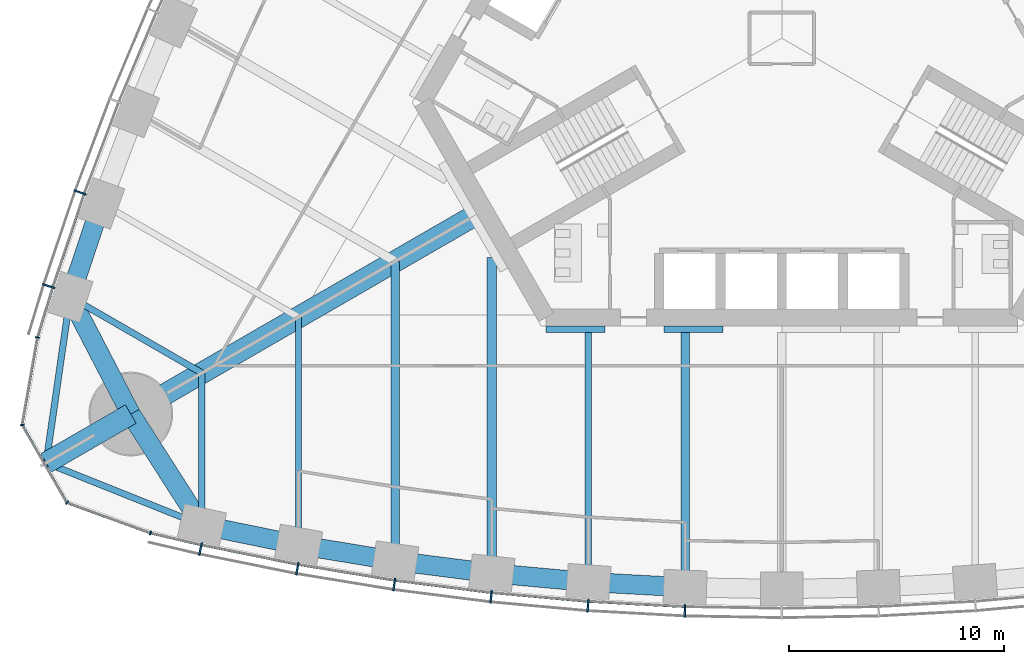
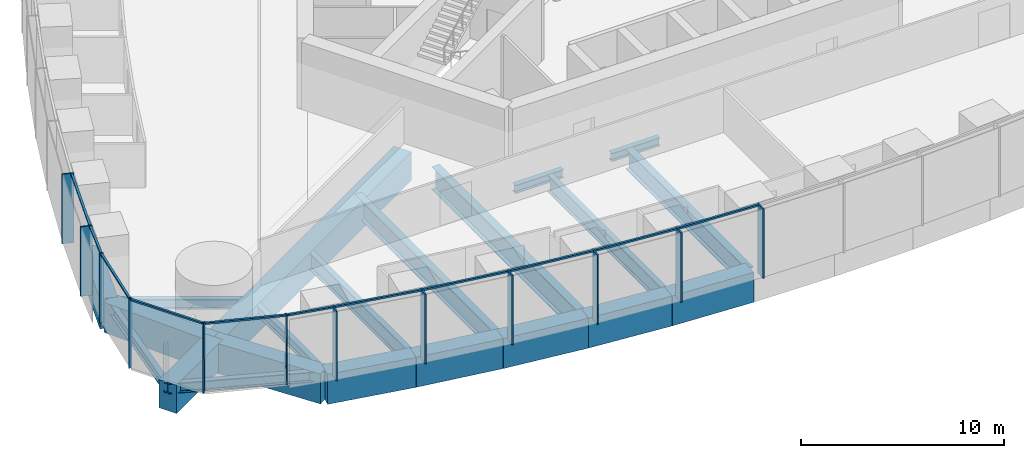
# One storey, part 2 of 18: 23 members, 21 beams, 3 elements without a shape of their own.
"""IFC4 building model written with IfcOpenShell, lengths in metres."""

from ifc_helpers import new_model, si_unit, direction, frame, origin, origin_2d, place, context, subcontext, project, spatial, rectangle, i_section, extrude, material, material_profile, profile_set, type_object, element, aggregate, save


model = new_model("IFC4")

# Units and contexts
model_context = context("Model", 3, precision=1e-05, world=origin(), true_north=direction((0.0, 1.0)))
body_context = subcontext(model_context, "Body", "Model", "MODEL_VIEW")
ifc_project = project(units=[si_unit("LENGTHUNIT", "METRE"), si_unit("AREAUNIT", "SQUARE_METRE"), si_unit("VOLUMEUNIT", "CUBIC_METRE"), si_unit("PLANEANGLEUNIT", "RADIAN"), si_unit("MASSUNIT", "GRAM", prefix="KILO")], contexts=[model_context])

# Site, building, storey
site_placement = place(None, origin())
site = spatial("IfcSite", under=ifc_project, at=site_placement, CompositionType="ELEMENT")
building_placement = place(site_placement, origin())
building = spatial("IfcBuilding", under=site, at=building_placement, Name="Trefoil Bronze Tower", CompositionType="ELEMENT")
storey_placement = place(building_placement, frame((0.0, 0.0, 161.89990234375)))
storey = spatial("IfcBuildingStorey", under=building, at=storey_placement, Name="L37", CompositionType="ELEMENT", Elevation=161.89990234375)

# Curtain wall, members
ifc_material_1 = material(Name="Tinted solar-control glass", Category="glass")
curtain_wall_type_1 = type_object("IfcCurtainWallType", Name="Bronze office curtain wall", PredefinedType="USERDEFINED", material=ifc_material_1)
curtain_wall_1_placement = place(storey_placement, origin())
curtain_wall_1 = element("IfcCurtainWall", 1, at=curtain_wall_1_placement, inside=storey, type_object=curtain_wall_type_1, Name="CW-A L37 F1", ObjectType="CURTAIN WALL", PredefinedType="USERDEFINED")
ifc_material_2 = material(Name="Bronze-finish aluminium", Category="aluminium")
ifc_material_profile_1 = material_profile(ifc_material_2, rectangle(XDim=0.60009765625, YDim=0.080078125, at=origin_2d()), Name="CW-A mullion")
ifc_profile_set_1 = profile_set([ifc_material_profile_1], Name="Bronze-finish aluminium")
member_type_1 = type_object("IfcMemberType", Name="Bronze office curtain wall mullion", PredefinedType="MULLION", material=ifc_profile_set_1)
member_1_placement = place(storey_placement, frame((-27.0634765625, -23.7890625, 0.0), z_axis=(0.0, 0.0, 1.0), x_axis=(0.21197042503, 0.977276081214, 0.0)))
member_1 = element("IfcMember", 2, at=member_1_placement, type_object=member_type_1, Name="CW-A L37 F1 mullion 2", PredefinedType="MULLION", context=body_context, shape_type="SweptSolid", body=[
    extrude(rectangle(XDim=0.60009765625, YDim=0.080078125, at=origin_2d()), origin(), (0.0, 0.0, 1.0), 4.18017578125),
])
member_2_placement = place(storey_placement, frame((-22.553955078125, -24.700927734375, 0.0), z_axis=(0.0, 0.0, 1.0), x_axis=(0.180240853954, 0.98362250613, 0.0)))
member_2 = element("IfcMember", 3, at=member_2_placement, type_object=member_type_1, Name="CW-A L37 F1 mullion 3", PredefinedType="MULLION", context=body_context, shape_type="SweptSolid", body=[
    extrude(rectangle(XDim=0.60009765625, YDim=0.080078125, at=origin_2d()), origin(), (0.0, 0.0, 1.0), 4.18017578125),
])
member_3_placement = place(storey_placement, frame((-18.043212890625, -25.4423828125, 0.0), z_axis=(0.0, 0.0, 1.0), x_axis=(0.144192103798, 0.989549714366, 0.0)))
member_3 = element("IfcMember", 4, at=member_3_placement, type_object=member_type_1, Name="CW-A L37 F1 mullion 4", PredefinedType="MULLION", context=body_context, shape_type="SweptSolid", body=[
    extrude(rectangle(XDim=0.60009765625, YDim=0.080078125, at=origin_2d()), origin(), (0.0, 0.0, 1.0), 4.18017578125),
])
member_4_placement = place(storey_placement, frame((-13.532470703125, -26.01611328125, 0.0), z_axis=(0.0, 0.0, 1.0), x_axis=(0.108143747013, 0.994135267447, 0.0)))
member_4 = element("IfcMember", 5, at=member_4_placement, type_object=member_type_1, Name="CW-A L37 F1 mullion 5", PredefinedType="MULLION", context=body_context, shape_type="SweptSolid", body=[
    extrude(rectangle(XDim=0.60009765625, YDim=0.080078125, at=origin_2d()), origin(), (0.0, 0.0, 1.0), 4.18017578125),
])
member_5_placement = place(storey_placement, frame((-9.021728515625, -26.424072265625, 0.0), z_axis=(0.0, 0.0, 1.0), x_axis=(0.072095676284, 0.997397720802, 0.0)))
member_5 = element("IfcMember", 6, at=member_5_placement, type_object=member_type_1, Name="CW-A L37 F1 mullion 6", PredefinedType="MULLION", context=body_context, shape_type="SweptSolid", body=[
    extrude(rectangle(XDim=0.60009765625, YDim=0.080078125, at=origin_2d()), origin(), (0.0, 0.0, 1.0), 4.18017578125),
])
member_6_placement = place(storey_placement, frame((-4.5107421875, -26.66845703125, 0.0), z_axis=(0.0, 0.0, 1.0), x_axis=(0.036047792107, 0.999350067136, 0.0)))
member_6 = element("IfcMember", 7, at=member_6_placement, type_object=member_type_1, Name="CW-A L37 F1 mullion 7", PredefinedType="MULLION", context=body_context, shape_type="SweptSolid", body=[
    extrude(rectangle(XDim=0.60009765625, YDim=0.080078125, at=origin_2d()), origin(), (0.0, 0.0, 1.0), 4.18017578125),
])

curtain_wall_2_placement = place(storey_placement, origin())
curtain_wall_2 = element("IfcCurtainWall", 8, at=curtain_wall_2_placement, inside=storey, type_object=curtain_wall_type_1, Name="CW-A L37 F3", ObjectType="CURTAIN WALL", PredefinedType="USERDEFINED")
member_7_placement = place(storey_placement, frame((-32.668701171875, -7.181884765625, 0.0), z_axis=(0.0, 0.0, 1.0), x_axis=(0.94196250502, -0.335718094742, 0.0)))
member_7 = element("IfcMember", 9, at=member_7_placement, type_object=member_type_1, Name="CW-A L37 F3 mullion 13", PredefinedType="MULLION", context=body_context, shape_type="SweptSolid", body=[
    extrude(rectangle(XDim=0.60009765625, YDim=0.080078125, at=origin_2d()), origin(), (0.0, 0.0, 1.0), 4.18017578125),
])
member_8_placement = place(storey_placement, frame((-34.1337890625, -11.543212890625, 0.0), z_axis=(0.0, 0.0, 1.0), x_axis=(0.952331125357, -0.30506626768, 0.0)))
member_8 = element("IfcMember", 10, at=member_8_placement, type_object=member_type_1, Name="CW-A L37 F3 mullion 14", PredefinedType="MULLION", context=body_context, shape_type="SweptSolid", body=[
    extrude(rectangle(XDim=0.60009765625, YDim=0.080078125, at=origin_2d()), origin(), (0.0, 0.0, 1.0), 4.18017578125),
])

# Member
ifc_material_3 = material(Name="Bronze-finish aluminium", Category="aluminium")
ifc_material_profile_2 = material_profile(ifc_material_3, rectangle(XDim=0.1201171875, YDim=0.10009765625, at=origin_2d()), Name="CW-A transom")
ifc_profile_set_2 = profile_set([ifc_material_profile_2], Name="Bronze-finish aluminium")
member_type_2 = type_object("IfcMemberType", Name="Bronze office curtain wall transom", PredefinedType="USERDEFINED", material=ifc_profile_set_2)
member_9_placement = place(storey_placement, frame((-29.34130859375, -23.05615234375, 4.130126953125), z_axis=(0.974206243495, -0.225659467196, 0.0), x_axis=(0.225659467196, 0.974206243495, 0.0)))
member_9 = element("IfcMember", 11, at=member_9_placement, type_object=member_type_2, Name="CW-A L37 F1 transom 1", ObjectType="TRANSOM", PredefinedType="USERDEFINED", context=body_context, shape_type="SweptSolid", body=[
    extrude(rectangle(XDim=0.1201171875, YDim=0.10009765625, at=origin_2d()), origin(), (0.0, 0.0, 1.0), 2.340087890625),
])

member_10_placement = place(storey_placement, frame((-26.980712890625, -23.601806640625, 4.130126953125), z_axis=(0.980153749225, -0.198238815273, 0.0), x_axis=(0.198238815273, 0.980153749225, 0.0)))
member_10 = element("IfcMember", 12, at=member_10_placement, type_object=member_type_2, Name="CW-A L37 F1 transom 2", ObjectType="TRANSOM", PredefinedType="USERDEFINED", context=body_context, shape_type="SweptSolid", body=[
    extrude(rectangle(XDim=0.1201171875, YDim=0.10009765625, at=origin_2d()), origin(), (0.0, 0.0, 1.0), 4.51123046875),
])

member_11_placement = place(storey_placement, frame((-22.476806640625, -24.510986328125, 4.130126953125), z_axis=(0.986755265284, -0.162216048636, 0.0), x_axis=(0.162216048636, 0.986755265284, 0.0)))
member_11 = element("IfcMember", 13, at=member_11_placement, type_object=member_type_2, Name="CW-A L37 F1 transom 3", ObjectType="TRANSOM", PredefinedType="USERDEFINED", context=body_context, shape_type="SweptSolid", body=[
    extrude(rectangle(XDim=0.1201171875, YDim=0.10009765625, at=origin_2d()), origin(), (0.0, 0.0, 1.0), 4.48046875),
])

member_12_placement = place(storey_placement, frame((-17.972900390625, -25.249755859375, 4.130126953125), z_axis=(0.992008387848, -0.12617193998, 0.0), x_axis=(0.12617193998, 0.992008387848, 0.0)))
member_12 = element("IfcMember", 14, at=member_12_placement, type_object=member_type_2, Name="CW-A L37 F1 transom 4", ObjectType="TRANSOM", PredefinedType="USERDEFINED", context=body_context, shape_type="SweptSolid", body=[
    extrude(rectangle(XDim=0.1201171875, YDim=0.10009765625, at=origin_2d()), origin(), (0.0, 0.0, 1.0), 4.456298828125),
])

member_13_placement = place(storey_placement, frame((-13.46923828125, -25.821044921875, 4.130126953125), z_axis=(0.995932787062, -0.090099298863, 0.0), x_axis=(0.090099298863, 0.995932787062, 0.0)))
member_13 = element("IfcMember", 15, at=member_13_placement, type_object=member_type_2, Name="CW-A L37 F1 transom 5", ObjectType="TRANSOM", PredefinedType="USERDEFINED", context=body_context, shape_type="SweptSolid", body=[
    extrude(rectangle(XDim=0.1201171875, YDim=0.10009765625, at=origin_2d()), origin(), (0.0, 0.0, 1.0), 4.4384765625),
])

member_14_placement = place(storey_placement, frame((-8.965576171875, -26.22705078125, 4.130126953125), z_axis=(0.998538253569, -0.054049571306, 0.0), x_axis=(0.054049571306, 0.998538253569, 0.0)))
member_14 = element("IfcMember", 16, at=member_14_placement, type_object=member_type_2, Name="CW-A L37 F1 transom 6", ObjectType="TRANSOM", PredefinedType="USERDEFINED", context=body_context, shape_type="SweptSolid", body=[
    extrude(rectangle(XDim=0.1201171875, YDim=0.10009765625, at=origin_2d()), origin(), (0.0, 0.0, 1.0), 4.4267578125),
])

aggregate(curtain_wall_1, [member_1, member_2, member_3, member_4, member_5, member_6, member_9, member_10, member_11, member_12, member_13, member_14])

member_15_placement = place(storey_placement, frame((-32.49365234375, -7.28857421875, 4.130126953125), z_axis=(-0.318386323729, -0.947961048178, 0.0), x_axis=(0.947961048178, -0.318386323729, 0.0)))
member_15 = element("IfcMember", 17, at=member_15_placement, type_object=member_type_2, Name="CW-A L37 F3 transom 13", ObjectType="TRANSOM", PredefinedType="USERDEFINED", context=body_context, shape_type="SweptSolid", body=[
    extrude(rectangle(XDim=0.1201171875, YDim=0.10009765625, at=origin_2d()), origin(), (0.0, 0.0, 1.0), 4.51123046875),
])

member_16_placement = place(storey_placement, frame((-33.955322265625, -11.643798828125, 4.130126953125), z_axis=(-0.291680468798, -0.956515814883, 0.0), x_axis=(0.956515814883, -0.291680468798, 0.0)))
member_16 = element("IfcMember", 18, at=member_16_placement, type_object=member_type_2, Name="CW-A L37 F3 transom 14", ObjectType="TRANSOM", PredefinedType="USERDEFINED", context=body_context, shape_type="SweptSolid", body=[
    extrude(rectangle(XDim=0.1201171875, YDim=0.10009765625, at=origin_2d()), origin(), (0.0, 0.0, 1.0), 2.34033203125),
])

aggregate(curtain_wall_2, [member_7, member_8, member_15, member_16])

# Curtain wall, members
ifc_material_4 = material(Name="Tinted solar-control glass", Category="glass")
curtain_wall_type_2 = type_object("IfcCurtainWallType", Name="Bronze rounded corner curtain wall", PredefinedType="USERDEFINED", material=ifc_material_4)
curtain_wall_3_placement = place(storey_placement, origin())
curtain_wall_3 = element("IfcCurtainWall", 19, at=curtain_wall_3_placement, inside=storey, type_object=curtain_wall_type_2, Name="CW-B L37 K3", ObjectType="CURTAIN WALL", PredefinedType="USERDEFINED")
ifc_material_5 = material(Name="Bronze-finish aluminium", Category="aluminium")
ifc_material_profile_3 = material_profile(ifc_material_5, rectangle(XDim=0.199951171875, YDim=0.06005859375, at=origin_2d()), Name="CW-B mullion")
ifc_profile_set_3 = profile_set([ifc_material_profile_3], Name="Bronze-finish aluminium")
member_type_3 = type_object("IfcMemberType", Name="Bronze rounded corner curtain wall mullion", PredefinedType="MULLION", material=ifc_profile_set_3)
member_17_placement = place(storey_placement, frame((-34.65234375, -13.932373046875, 0.0), z_axis=(0.0, 0.0, 1.0), x_axis=(0.984807753012, -0.173648177667, 0.0)))
member_17 = element("IfcMember", 20, at=member_17_placement, type_object=member_type_3, Name="CW-B L37 K3 mullion 1", PredefinedType="MULLION", context=body_context, shape_type="SweptSolid", body=[
    extrude(rectangle(XDim=0.199951171875, YDim=0.06005859375, at=origin_2d()), origin(), (0.0, 0.0, 1.0), 4.18017578125),
])
member_18_placement = place(storey_placement, frame((-35.364990234375, -18.009033203125, 0.0), z_axis=(0.0, 0.0, 1.0), x_axis=(0.984807753012, 0.173648177667, 0.0)))
member_18 = element("IfcMember", 21, at=member_18_placement, type_object=member_type_3, Name="CW-B L37 K3 mullion 2", PredefinedType="MULLION", context=body_context, shape_type="SweptSolid", body=[
    extrude(rectangle(XDim=0.199951171875, YDim=0.06005859375, at=origin_2d()), origin(), (0.0, 0.0, 1.0), 4.18017578125),
])
member_19_placement = place(storey_placement, frame((-33.27880859375, -21.62255859375, 0.0), z_axis=(0.0, 0.0, 1.0), x_axis=(0.642787609687, 0.766044443119, 0.0)))
member_19 = element("IfcMember", 22, at=member_19_placement, type_object=member_type_3, Name="CW-B L37 K3 mullion 3", PredefinedType="MULLION", context=body_context, shape_type="SweptSolid", body=[
    extrude(rectangle(XDim=0.199951171875, YDim=0.06005859375, at=origin_2d()), origin(), (0.0, 0.0, 1.0), 4.18017578125),
])
member_20_placement = place(storey_placement, frame((-29.391845703125, -23.043701171875, 0.0), z_axis=(0.0, 0.0, 1.0), x_axis=(0.342020143326, 0.939692620786, 0.0)))
member_20 = element("IfcMember", 23, at=member_20_placement, type_object=member_type_3, Name="CW-B L37 K3 mullion 4", PredefinedType="MULLION", context=body_context, shape_type="SweptSolid", body=[
    extrude(rectangle(XDim=0.199951171875, YDim=0.06005859375, at=origin_2d()), origin(), (0.0, 0.0, 1.0), 4.18017578125),
])
ifc_material_6 = material(Name="Bronze-finish aluminium", Category="aluminium")
ifc_material_profile_4 = material_profile(ifc_material_6, rectangle(XDim=0.1201171875, YDim=0.10009765625, at=origin_2d()), Name="CW-B transom")
ifc_profile_set_4 = profile_set([ifc_material_profile_4], Name="Bronze-finish aluminium")
member_type_4 = type_object("IfcMemberType", Name="Bronze rounded corner curtain wall transom", PredefinedType="USERDEFINED", material=ifc_profile_set_4)
member_21_placement = place(storey_placement, frame((-34.657470703125, -13.9619140625, 4.130126953125), z_axis=(-0.173682016639, -0.984801785689, 0.0), x_axis=(0.984801785689, -0.173682016639, 0.0)))
member_21 = element("IfcMember", 24, at=member_21_placement, type_object=member_type_4, Name="CW-B L37 K3 transom 1", ObjectType="TRANSOM", PredefinedType="USERDEFINED", context=body_context, shape_type="SweptSolid", body=[
    extrude(rectangle(XDim=0.1201171875, YDim=0.10009765625, at=origin_2d()), origin(), (0.0, 0.0, 1.0), 4.044189453125),
])
member_22_placement = place(storey_placement, frame((-35.338134765625, -18.067626953125, 4.130126953125), z_axis=(0.500015078168, -0.866016698225, 0.0), x_axis=(0.866016698225, 0.500015078168, 0.0)))
member_22 = element("IfcMember", 25, at=member_22_placement, type_object=member_type_4, Name="CW-B L37 K3 transom 2", ObjectType="TRANSOM", PredefinedType="USERDEFINED", context=body_context, shape_type="SweptSolid", body=[
    extrude(rectangle(XDim=0.1201171875, YDim=0.10009765625, at=origin_2d()), origin(), (0.0, 0.0, 1.0), 4.04443359375),
])
member_23_placement = place(storey_placement, frame((-33.220458984375, -21.650146484375, 4.130126953125), z_axis=(0.939684096629, -0.342043562347, 0.0), x_axis=(0.342043562347, 0.939684096629, 0.0)))
member_23 = element("IfcMember", 26, at=member_23_placement, type_object=member_type_4, Name="CW-B L37 K3 transom 3", ObjectType="TRANSOM", PredefinedType="USERDEFINED", context=body_context, shape_type="SweptSolid", body=[
    extrude(rectangle(XDim=0.1201171875, YDim=0.10009765625, at=origin_2d()), origin(), (0.0, 0.0, 1.0), 4.044189453125),
])
aggregate(curtain_wall_3, [member_17, member_18, member_19, member_20, member_21, member_22, member_23])

# Beams
ifc_material_7 = material(Name="Steel C355", Category="steel")
ifc_material_profile_5 = material_profile(ifc_material_7, i_section(OverallWidth=0.300048828125, OverallDepth=0.5, WebThickness=0.014404296875, FlangeThickness=0.028076171875, FilletRadius=0.027099609375, at=origin_2d()), Name="HEB 500")
ifc_profile_set_5 = profile_set([ifc_material_profile_5], Name="Steel C355")
beam_type_1 = type_object("IfcBeamType", Name="Core seat beam HEB 500", PredefinedType="BEAM", material=ifc_profile_set_5)
for number, where, z_axis, x_axis, name in (
    (27, (-10.9697265625, -13.550048828125, -0.449951171875), (1.0, 0.0, 0.0), (0.0, 1.0, 0.0), "Core seat beam F1/-2 L37"),
    (28, (-5.48486328125, -13.550048828125, -0.449951171875), (1.0, 0.0, 0.0), (0.0, 1.0, 0.0), "Core seat beam F1/-1 L37"),
):
    element("IfcBeam", number, at=place(storey_placement, frame(where, z_axis=z_axis, x_axis=x_axis)), inside=storey, type_object=beam_type_1, Name=name, PredefinedType="BEAM", context=body_context, shape_type="SweptSolid", body=[
        extrude(i_section(OverallWidth=0.300048828125, OverallDepth=0.5, WebThickness=0.014404296875, FlangeThickness=0.028076171875, FilletRadius=0.027099609375, at=origin_2d()), origin(), (0.0, 0.0, 1.0), 2.742431640625),
    ])
ifc_material_8 = material(Name="Concrete B80", Category="concrete")
ifc_material_profile_6 = material_profile(ifc_material_8, rectangle(XDim=1.0, YDim=1.699951171875, at=origin_2d()), Name="RC 1000x1700")
ifc_profile_set_6 = profile_set([ifc_material_profile_6], Name="Concrete B80")
beam_type_2 = type_object("IfcBeamType", Name="Corner cantilever RC 1000x1700", PredefinedType="BEAM", material=ifc_profile_set_6)
beam_1_placement = place(storey_placement, frame((-30.310791015625, -17.5, -1.0498046875), z_axis=(-0.866031878637, -0.499988785058, 0.0), x_axis=(0.499988785058, -0.866031878637, 0.0)))
element("IfcBeam", 29, at=beam_1_placement, inside=storey, type_object=beam_type_2, Name="Corner cantilever K3 L37", PredefinedType="BEAM", context=body_context, shape_type="SweptSolid", body=[
    extrude(rectangle(XDim=1.0, YDim=1.699951171875, at=origin_2d()), origin(), (0.0, 0.0, 1.0), 4.54931640625),
])
ifc_material_9 = material(Name="Steel C355", Category="steel")
ifc_material_profile_7 = material_profile(ifc_material_9, i_section(OverallWidth=0.300048828125, OverallDepth=0.60009765625, WebThickness=0.015380859375, FlangeThickness=0.030029296875, FilletRadius=0.027099609375, at=origin_2d()), Name="HEB 600")
ifc_profile_set_7 = profile_set([ifc_material_profile_7], Name="Steel C355")
beam_type_3 = type_object("IfcBeamType", Name="Corner edge beam HEB 600", PredefinedType="BEAM", material=ifc_profile_set_7)
for number, where, z_axis, x_axis, name in (
    (30, (-27.0, -22.67724609375, -0.5), (-0.928375332495, 0.371643972122, 0.0), (-0.371643972122, -0.928375332495, 0.0), "Corner edge beam F1B L37"),
    (31, (-33.13916015625, -12.044189453125, -0.5), (-0.142327214588, -0.989819662357, 0.0), (0.989819662357, -0.142327214588, 0.0), "Corner edge beam F3A L37"),
):
    element("IfcBeam", number, at=place(storey_placement, frame(where, z_axis=z_axis, x_axis=x_axis)), inside=storey, type_object=beam_type_3, Name=name, PredefinedType="BEAM", context=body_context, shape_type="SweptSolid", body=[
        extrude(i_section(OverallWidth=0.300048828125, OverallDepth=0.60009765625, WebThickness=0.015380859375, FlangeThickness=0.030029296875, FilletRadius=0.027099609375, at=origin_2d()), origin(), (0.0, 0.0, 1.0), 7.81005859375),
    ])
ifc_material_10 = material(Name="Concrete B80", Category="concrete")
ifc_material_profile_8 = material_profile(ifc_material_10, rectangle(XDim=1.0, YDim=1.699951171875, at=origin_2d()), Name="RC 1000x1700")
ifc_profile_set_8 = profile_set([ifc_material_profile_8], Name="Concrete B80")
beam_type_4 = type_object("IfcBeamType", Name="Corner girder RC 1000x1700", PredefinedType="BEAM", material=ifc_profile_set_8)
beam_2_placement = place(storey_placement, frame((-14.202880859375, -8.199951171875, -1.0498046875), z_axis=(-0.866022084834, -0.500005748546, 0.0), x_axis=(0.500005748546, -0.866022084834, 0.0)))
element("IfcBeam", 32, at=beam_2_placement, inside=storey, type_object=beam_type_4, Name="Corner girder K3 L37", PredefinedType="BEAM", context=body_context, shape_type="SweptSolid", body=[
    extrude(rectangle(XDim=1.0, YDim=1.699951171875, at=origin_2d()), origin(), (0.0, 0.0, 1.0), 18.599853515625),
])
ifc_material_11 = material(Name="Concrete B80", Category="concrete")
ifc_material_profile_9 = material_profile(ifc_material_11, rectangle(XDim=0.89990234375, YDim=1.800048828125, at=origin_2d()), Name="RC 900x1800")
ifc_profile_set_9 = profile_set([ifc_material_profile_9], Name="Concrete B80")
beam_type_5 = type_object("IfcBeamType", Name="End spandrel beam RC 900x1800", PredefinedType="SPANDREL", material=ifc_profile_set_9)
for number, where, z_axis, x_axis, name in (
    (33, (-30.310791015625, -17.5, -1.099853515625), (0.53874814953, -0.84246687257, 0.0), (0.84246687257, 0.53874814953, 0.0), "Spandrel F1.1 L37"),
    (34, (-33.13916015625, -12.044189453125, -1.099853515625), (0.460244107083, -0.887792409235, 0.0), (0.887792409235, 0.460244107083, 0.0), "Spandrel F3.14 L37"),
):
    element("IfcBeam", number, at=place(storey_placement, frame(where, z_axis=z_axis, x_axis=x_axis)), inside=storey, type_object=beam_type_5, Name=name, PredefinedType="SPANDREL", context=body_context, shape_type="SweptSolid", body=[
        extrude(rectangle(XDim=0.89990234375, YDim=1.800048828125, at=origin_2d()), origin(), (0.0, 0.0, 1.0), 6.145263671875),
    ])
ifc_material_12 = material(Name="Steel C355", Category="steel")
ifc_material_profile_10 = material_profile(ifc_material_12, i_section(OverallWidth=0.300048828125, OverallDepth=1.0, WebThickness=0.01904296875, FlangeThickness=0.035888671875, FilletRadius=0.030029296875, at=origin_2d()), Name="HEB 1000")
ifc_profile_set_10 = profile_set([ifc_material_profile_10], Name="Steel C355")
beam_type_6 = type_object("IfcBeamType", Name="Floor beam HEB 1000", PredefinedType="BEAM", material=ifc_profile_set_10)
beam_3_placement = place(storey_placement, frame((-22.5, -23.592529296875, -0.699951171875), z_axis=(0.0, 1.0, 0.0), x_axis=(-1.0, 0.0, 0.0)))
element("IfcBeam", 35, at=beam_3_placement, inside=storey, type_object=beam_type_6, Name="Floor beam F1/-5 L37", PredefinedType="BEAM", context=body_context, shape_type="SweptSolid", body=[
    extrude(i_section(OverallWidth=0.300048828125, OverallDepth=1.0, WebThickness=0.01904296875, FlangeThickness=0.035888671875, FilletRadius=0.030029296875, at=origin_2d()), origin(), (0.0, 0.0, 1.0), 10.60205078125),
])
ifc_material_13 = material(Name="Steel C355", Category="steel")
ifc_material_profile_11 = material_profile(ifc_material_13, i_section(OverallWidth=0.300048828125, OverallDepth=0.60009765625, WebThickness=0.015380859375, FlangeThickness=0.030029296875, FilletRadius=0.027099609375, at=origin_2d()), Name="HEB 600")
ifc_profile_set_11 = profile_set([ifc_material_profile_11], Name="Steel C355")
beam_type_7 = type_object("IfcBeamType", Name="Floor beam HEB 600", PredefinedType="BEAM", material=ifc_profile_set_11)
for number, where, z_axis, x_axis, name in (
    (36, (-27.0, -22.67724609375, -0.5), (0.0, 1.0, 0.0), (-1.0, 0.0, 0.0), "Floor beam F1/-6 L37"),
    (37, (-33.13916015625, -12.044189453125, -0.5), (0.866041060244, -0.499972881236, 0.0), (0.499972881236, 0.866041060244, 0.0), "Floor beam F3/+6 L37"),
):
    element("IfcBeam", number, at=place(storey_placement, frame(where, z_axis=z_axis, x_axis=x_axis)), inside=storey, type_object=beam_type_7, Name=name, PredefinedType="BEAM", context=body_context, shape_type="SweptSolid", body=[
        extrude(i_section(OverallWidth=0.300048828125, OverallDepth=0.60009765625, WebThickness=0.015380859375, FlangeThickness=0.030029296875, FilletRadius=0.027099609375, at=origin_2d()), origin(), (0.0, 0.0, 1.0), 7.0888671875),
    ])
ifc_material_14 = material(Name="Steel C355", Category="steel")
ifc_material_profile_12 = material_profile(ifc_material_14, i_section(OverallWidth=0.302001953125, OverallDepth=1.008056640625, WebThickness=0.02099609375, FlangeThickness=0.0400390625, FilletRadius=0.030029296875, at=origin_2d()), Name="HEM 1000")
ifc_profile_set_12 = profile_set([ifc_material_profile_12], Name="Steel C355")
beam_type_8 = type_object("IfcBeamType", Name="Floor beam HEM 1000", PredefinedType="BEAM", material=ifc_profile_set_12)
beam_4_placement = place(storey_placement, frame((-9.0, -25.32275390625, -0.703857421875), z_axis=(0.0, 1.0, 0.0), x_axis=(-1.0, 0.0, 0.0)))
element("IfcBeam", 38, at=beam_4_placement, inside=storey, type_object=beam_type_8, Name="Floor beam F1/-2 L37", PredefinedType="BEAM", context=body_context, shape_type="SweptSolid", body=[
    extrude(i_section(OverallWidth=0.302001953125, OverallDepth=1.008056640625, WebThickness=0.02099609375, FlangeThickness=0.0400390625, FilletRadius=0.030029296875, at=origin_2d()), origin(), (0.0, 0.0, 1.0), 11.622802734375),
])
ifc_material_15 = material(Name="Steel C355", Category="steel")
ifc_material_profile_13 = material_profile(ifc_material_15, i_section(OverallWidth=0.39990234375, OverallDepth=1.199951171875, WebThickness=0.02001953125, FlangeThickness=0.0400390625, FilletRadius=0.010009765625, at=origin_2d()), Name="WPG 1200")
ifc_profile_set_13 = profile_set([ifc_material_profile_13], Name="Steel C355")
beam_type_9 = type_object("IfcBeamType", Name="Floor beam WPG 1200", PredefinedType="BEAM", material=ifc_profile_set_13)
beam_5_placement = place(storey_placement, frame((-18.0, -24.337158203125, -0.7998046875), z_axis=(0.0, 1.0, 0.0), x_axis=(-1.0, 0.0, 0.0)))
element("IfcBeam", 39, at=beam_5_placement, inside=storey, type_object=beam_type_9, Name="Floor beam F1/-4 L37", PredefinedType="BEAM", context=body_context, shape_type="SweptSolid", body=[
    extrude(i_section(OverallWidth=0.39990234375, OverallDepth=1.199951171875, WebThickness=0.02001953125, FlangeThickness=0.0400390625, FilletRadius=0.010009765625, at=origin_2d()), origin(), (0.0, 0.0, 1.0), 13.94482421875),
])
beam_6_placement = place(storey_placement, frame((-4.5, -25.568115234375, -0.7998046875), z_axis=(0.0, 1.0, 0.0), x_axis=(-1.0, 0.0, 0.0)))
element("IfcBeam", 40, at=beam_6_placement, inside=storey, type_object=beam_type_9, Name="Floor beam F1/-1 L37", PredefinedType="BEAM", context=body_context, shape_type="SweptSolid", body=[
    extrude(i_section(OverallWidth=0.39990234375, OverallDepth=1.199951171875, WebThickness=0.02001953125, FlangeThickness=0.0400390625, FilletRadius=0.010009765625, at=origin_2d()), origin(), (0.0, 0.0, 1.0), 11.8681640625),
])
ifc_material_16 = material(Name="Steel C355", Category="steel")
ifc_material_profile_14 = material_profile(ifc_material_16, i_section(OverallWidth=0.449951171875, OverallDepth=1.39990234375, WebThickness=0.02294921875, FlangeThickness=0.044921875, FilletRadius=0.011962890625, at=origin_2d()), Name="WPG 1400")
ifc_profile_set_14 = profile_set([ifc_material_profile_14], Name="Steel C355")
beam_type_10 = type_object("IfcBeamType", Name="Floor beam WPG 1400", PredefinedType="BEAM", material=ifc_profile_set_14)
beam_7_placement = place(storey_placement, frame((-13.5, -24.9130859375, -0.89990234375), z_axis=(0.0, 1.0, 0.0), x_axis=(-1.0, 0.0, 0.0)))
element("IfcBeam", 41, at=beam_7_placement, inside=storey, type_object=beam_type_10, Name="Floor beam F1/-3 L37", PredefinedType="BEAM", context=body_context, shape_type="SweptSolid", body=[
    extrude(i_section(OverallWidth=0.449951171875, OverallDepth=1.39990234375, WebThickness=0.02294921875, FlangeThickness=0.044921875, FilletRadius=0.011962890625, at=origin_2d()), origin(), (0.0, 0.0, 1.0), 14.69580078125),
])
ifc_material_17 = material(Name="Concrete B80", Category="concrete")
ifc_material_profile_15 = material_profile(ifc_material_17, rectangle(XDim=0.89990234375, YDim=1.800048828125, at=origin_2d()), Name="RC 900x1800")
ifc_profile_set_15 = profile_set([ifc_material_profile_15], Name="Concrete B80")
beam_type_11 = type_object("IfcBeamType", Name="Spandrel beam RC 900x1800", PredefinedType="SPANDREL", material=ifc_profile_set_15)
beam_8_placement = place(storey_placement, frame((-27.0, -22.67724609375, -1.099853515625), z_axis=(0.979935430296, -0.199315208777, 0.0), x_axis=(0.199315208777, 0.979935430296, 0.0)))
element("IfcBeam", 42, at=beam_8_placement, inside=storey, type_object=beam_type_11, Name="Spandrel F1.2 L37", PredefinedType="SPANDREL", context=body_context, shape_type="SweptSolid", body=[
    extrude(rectangle(XDim=0.89990234375, YDim=1.800048828125, at=origin_2d()), origin(), (0.0, 0.0, 1.0), 4.592041015625),
])
beam_9_placement = place(storey_placement, frame((-22.5, -23.592529296875, -1.099853515625), z_axis=(0.986584214684, -0.163253138823, 0.0), x_axis=(0.163253138823, 0.986584214684, 0.0)))
element("IfcBeam", 43, at=beam_9_placement, inside=storey, type_object=beam_type_11, Name="Spandrel F1.3 L37", PredefinedType="SPANDREL", context=body_context, shape_type="SweptSolid", body=[
    extrude(rectangle(XDim=0.89990234375, YDim=1.800048828125, at=origin_2d()), origin(), (0.0, 0.0, 1.0), 4.561279296875),
])
beam_10_placement = place(storey_placement, frame((-18.0, -24.337158203125, -1.099853515625), z_axis=(0.991909314257, -0.126948463126, 0.0), x_axis=(0.126948463126, 0.991909314257, 0.0)))
element("IfcBeam", 44, at=beam_10_placement, inside=storey, type_object=beam_type_11, Name="Spandrel F1.4 L37", PredefinedType="SPANDREL", context=body_context, shape_type="SweptSolid", body=[
    extrude(rectangle(XDim=0.89990234375, YDim=1.800048828125, at=origin_2d()), origin(), (0.0, 0.0, 1.0), 4.53662109375),
])
beam_11_placement = place(storey_placement, frame((-13.5, -24.9130859375, -1.099853515625), z_axis=(0.995881683815, -0.090662405894, 0.0), x_axis=(0.090662405894, 0.995881683815, 0.0)))
element("IfcBeam", 45, at=beam_11_placement, inside=storey, type_object=beam_type_11, Name="Spandrel F1.5 L37", PredefinedType="SPANDREL", context=body_context, shape_type="SweptSolid", body=[
    extrude(rectangle(XDim=0.89990234375, YDim=1.800048828125, at=origin_2d()), origin(), (0.0, 0.0, 1.0), 4.5185546875),
])
beam_12_placement = place(storey_placement, frame((-9.0, -25.32275390625, -1.099853515625), z_axis=(0.998516832602, -0.054443870267, 0.0), x_axis=(0.054443870267, 0.998516832602, 0.0)))
element("IfcBeam", 46, at=beam_12_placement, inside=storey, type_object=beam_type_11, Name="Spandrel F1.6 L37", PredefinedType="SPANDREL", context=body_context, shape_type="SweptSolid", body=[
    extrude(rectangle(XDim=0.89990234375, YDim=1.800048828125, at=origin_2d()), origin(), (0.0, 0.0, 1.0), 4.506591796875),
])
beam_13_placement = place(storey_placement, frame((-31.681884765625, -7.689208984375, -1.099853515625), z_axis=(-0.31732802068, -0.948315837309, 0.0), x_axis=(0.948315837309, -0.31732802068, 0.0)))
element("IfcBeam", 47, at=beam_13_placement, inside=storey, type_object=beam_type_11, Name="Spandrel F3.13 L37", PredefinedType="SPANDREL", context=body_context, shape_type="SweptSolid", body=[
    extrude(rectangle(XDim=0.89990234375, YDim=1.800048828125, at=origin_2d()), origin(), (0.0, 0.0, 1.0), 4.59228515625),
])

save(model, "model.ifc")
